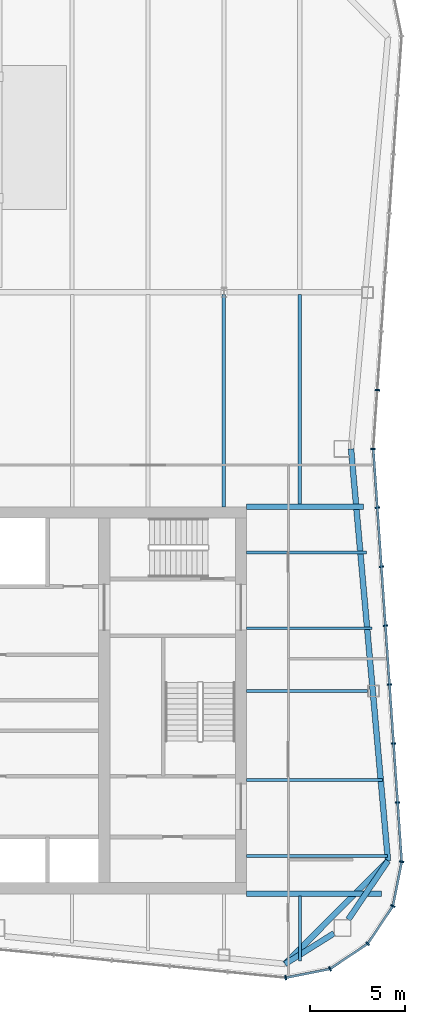
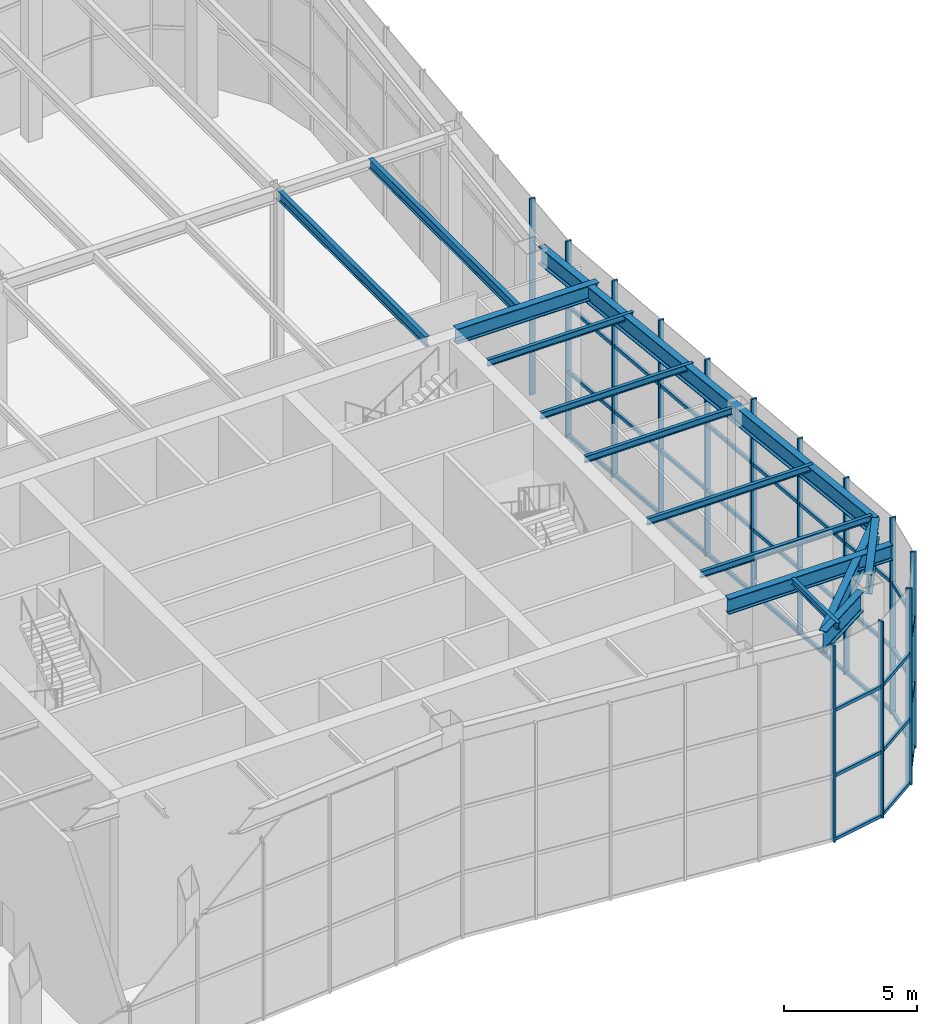
# One storey, part 5 of 16: 28 members, 14 beams, 2 elements without a shape of their own.
"""IFC4 building model written with IfcOpenShell, lengths in metres."""

from ifc_helpers import new_model, si_unit, direction, frame, origin, origin_2d, place, context, subcontext, project, spatial, rectangle, i_section, extrude, material, material_profile, profile_set, type_object, element, aggregate, save


model = new_model("IFC4")

# Units and contexts
model_context = context("Model", 3, precision=1e-05, world=origin(), true_north=direction((0.0, 1.0)))
body_context = subcontext(model_context, "Body", "Model", "MODEL_VIEW")
ifc_project = project(units=[si_unit("LENGTHUNIT", "METRE"), si_unit("AREAUNIT", "SQUARE_METRE"), si_unit("VOLUMEUNIT", "CUBIC_METRE"), si_unit("PLANEANGLEUNIT", "RADIAN"), si_unit("MASSUNIT", "GRAM", prefix="KILO")], contexts=[model_context])

# Site, building, storey
site_placement = place(None, origin())
site = spatial("IfcSite", under=ifc_project, at=site_placement, CompositionType="ELEMENT")
building_placement = place(site_placement, origin())
building = spatial("IfcBuilding", under=site, at=building_placement, Name="Verdant Reach Tower", CompositionType="ELEMENT")
storey_placement = place(building_placement, frame((0.0, 0.0, 340.5)))
storey = spatial("IfcBuildingStorey", under=building, at=storey_placement, Name="L78 Damper", CompositionType="ELEMENT", Elevation=340.5)

# Curtain wall, members
ifc_material_1 = material(Name="Anodised aluminium", Category="aluminium")
curtain_wall_type = type_object("IfcCurtainWallType", Name="EN-CW SYSTEM CROWN DAMPER", PredefinedType="NOTDEFINED", material=ifc_material_1)
curtain_wall_1_placement = place(storey_placement, origin())
curtain_wall_1 = element("IfcCurtainWall", 1, at=curtain_wall_1_placement, inside=storey, type_object=curtain_wall_type, Name="Curtain wall south-east corner, L78", PredefinedType="NOTDEFINED")
ifc_material_profile_1 = material_profile(ifc_material_1, rectangle(XDim=0.238037109375, YDim=0.080078125, at=origin_2d()), Name="Mullion 80x240")
ifc_profile_set_1 = profile_set([ifc_material_profile_1], Name="Anodised aluminium")
member_type_1 = type_object("IfcMemberType", Name="EN-MULLION PLANT", PredefinedType="MULLION", material=ifc_profile_set_1)
member_1_placement = place(storey_placement, frame((15.255859375, 13.381103515625, -0.35009765625), z_axis=(0.0, 0.0, 1.0), x_axis=(0.049127596288, -0.998792510626, 0.0)))
member_1 = element("IfcMember", 2, at=member_1_placement, type_object=member_type_1, Name="Mullion south-east corner 1, L78", PredefinedType="MULLION", context=body_context, shape_type="SweptSolid", body=[
    extrude(rectangle(XDim=0.238037109375, YDim=0.080078125, at=origin_2d()), origin(), (0.0, 0.0, 1.0), 9.0),
])
member_2_placement = place(storey_placement, frame((17.591552734375, 13.8466796875, -0.35009765625), z_axis=(0.0, 0.0, 1.0), x_axis=(0.382693853776, -0.923875215753, 0.0)))
member_2 = element("IfcMember", 3, at=member_2_placement, type_object=member_type_1, Name="Mullion south-east corner 2, L78", PredefinedType="MULLION", context=body_context, shape_type="SweptSolid", body=[
    extrude(rectangle(XDim=0.238037109375, YDim=0.080078125, at=origin_2d()), origin(), (0.0, 0.0, 1.0), 9.0),
])
member_3_placement = place(storey_placement, frame((19.57666015625, 15.17333984375, -0.35009765625), z_axis=(0.0, 0.0, 1.0), x_axis=(0.707106781187, -0.707106781187, 0.0)))
member_3 = element("IfcMember", 4, at=member_3_placement, type_object=member_type_1, Name="Mullion south-east corner 3, L78", PredefinedType="MULLION", context=body_context, shape_type="SweptSolid", body=[
    extrude(rectangle(XDim=0.238037109375, YDim=0.080078125, at=origin_2d()), origin(), (0.0, 0.0, 1.0), 9.0),
])
member_4_placement = place(storey_placement, frame((20.9033203125, 17.158447265625, -0.35009765625), z_axis=(0.0, 0.0, 1.0), x_axis=(0.923875215753, -0.382693853776, 0.0)))
member_4 = element("IfcMember", 5, at=member_4_placement, type_object=member_type_1, Name="Mullion south-east corner 4, L78", PredefinedType="MULLION", context=body_context, shape_type="SweptSolid", body=[
    extrude(rectangle(XDim=0.238037109375, YDim=0.080078125, at=origin_2d()), origin(), (0.0, 0.0, 1.0), 9.0),
])

curtain_wall_2_placement = place(storey_placement, origin())
curtain_wall_2 = element("IfcCurtainWall", 6, at=curtain_wall_2_placement, inside=storey, type_object=curtain_wall_type, Name="Curtain wall east, L78", PredefinedType="NOTDEFINED")
member_5_placement = place(storey_placement, frame((21.36865234375, 19.492431640625, -0.35009765625), z_axis=(0.0, 0.0, 1.0), x_axis=(0.997969180898, -0.063698618332, 0.0)))
member_5 = element("IfcMember", 7, at=member_5_placement, type_object=member_type_1, Name="Mullion east face part 1 1, L78", PredefinedType="MULLION", context=body_context, shape_type="SweptSolid", body=[
    extrude(rectangle(XDim=0.238037109375, YDim=0.080078125, at=origin_2d()), origin(), (0.0, 0.0, 1.0), 9.0),
])
member_6_placement = place(storey_placement, frame((21.154541015625, 22.615234375, -0.35009765625), z_axis=(0.0, 0.0, 1.0), x_axis=(0.997630328423, 0.068802091615, 0.0)))
member_6 = element("IfcMember", 8, at=member_6_placement, type_object=member_type_1, Name="Mullion east face part 1 2, L78", PredefinedType="MULLION", context=body_context, shape_type="SweptSolid", body=[
    extrude(rectangle(XDim=0.238037109375, YDim=0.080078125, at=origin_2d()), origin(), (0.0, 0.0, 1.0), 9.0),
])
member_7_placement = place(storey_placement, frame((20.940185546875, 25.722412109375, -0.35009765625), z_axis=(0.0, 0.0, 1.0), x_axis=(0.997630328423, 0.068802091615, 0.0)))
member_7 = element("IfcMember", 9, at=member_7_placement, type_object=member_type_1, Name="Mullion east face part 1 3, L78", PredefinedType="MULLION", context=body_context, shape_type="SweptSolid", body=[
    extrude(rectangle(XDim=0.238037109375, YDim=0.080078125, at=origin_2d()), origin(), (0.0, 0.0, 1.0), 9.0),
])
member_8_placement = place(storey_placement, frame((20.725830078125, 28.82958984375, -0.35009765625), z_axis=(0.0, 0.0, 1.0), x_axis=(0.997630328423, 0.068802091615, 0.0)))
member_8 = element("IfcMember", 10, at=member_8_placement, type_object=member_type_1, Name="Mullion east face part 1 4, L78", PredefinedType="MULLION", context=body_context, shape_type="SweptSolid", body=[
    extrude(rectangle(XDim=0.238037109375, YDim=0.080078125, at=origin_2d()), origin(), (0.0, 0.0, 1.0), 9.0),
])
member_9_placement = place(storey_placement, frame((20.511474609375, 31.936767578125, -0.35009765625), z_axis=(0.0, 0.0, 1.0), x_axis=(0.997630328423, 0.068802091615, 0.0)))
member_9 = element("IfcMember", 11, at=member_9_placement, type_object=member_type_1, Name="Mullion east face part 1 5, L78", PredefinedType="MULLION", context=body_context, shape_type="SweptSolid", body=[
    extrude(rectangle(XDim=0.238037109375, YDim=0.080078125, at=origin_2d()), origin(), (0.0, 0.0, 1.0), 9.0),
])
member_10_placement = place(storey_placement, frame((20.29736328125, 35.0439453125, -0.35009765625), z_axis=(0.0, 0.0, 1.0), x_axis=(0.997630328423, 0.068802091615, 0.0)))
member_10 = element("IfcMember", 12, at=member_10_placement, type_object=member_type_1, Name="Mullion east face part 1 6, L78", PredefinedType="MULLION", context=body_context, shape_type="SweptSolid", body=[
    extrude(rectangle(XDim=0.238037109375, YDim=0.080078125, at=origin_2d()), origin(), (0.0, 0.0, 1.0), 9.0),
])
member_11_placement = place(storey_placement, frame((20.0830078125, 38.151123046875, -0.35009765625), z_axis=(0.0, 0.0, 1.0), x_axis=(0.997630328423, 0.068802091615, 0.0)))
member_11 = element("IfcMember", 13, at=member_11_placement, type_object=member_type_1, Name="Mullion east face part 1 7, L78", PredefinedType="MULLION", context=body_context, shape_type="SweptSolid", body=[
    extrude(rectangle(XDim=0.238037109375, YDim=0.080078125, at=origin_2d()), origin(), (0.0, 0.0, 1.0), 9.0),
])
member_12_placement = place(storey_placement, frame((19.868896484375, 41.25, -0.35009765625), z_axis=(0.0, 0.0, 1.0), x_axis=(1.0, 0.0, 0.0)))
member_12 = element("IfcMember", 14, at=member_12_placement, type_object=member_type_1, Name="Mullion east face part 2 1, L78", PredefinedType="MULLION", context=body_context, shape_type="SweptSolid", body=[
    extrude(rectangle(XDim=0.238037109375, YDim=0.080078125, at=origin_2d()), origin(), (0.0, 0.0, 1.0), 9.0),
])
member_13_placement = place(storey_placement, frame((20.0830078125, 44.348876953125, -0.35009765625), z_axis=(0.0, 0.0, 1.0), x_axis=(0.997630328423, -0.068802091615, 0.0)))
member_13 = element("IfcMember", 15, at=member_13_placement, type_object=member_type_1, Name="Mullion east face part 2 2, L78", PredefinedType="MULLION", context=body_context, shape_type="SweptSolid", body=[
    extrude(rectangle(XDim=0.238037109375, YDim=0.080078125, at=origin_2d()), origin(), (0.0, 0.0, 1.0), 9.0),
])

# Member
ifc_material_profile_2 = material_profile(ifc_material_1, rectangle(XDim=0.1201171875, YDim=0.14990234375, at=origin_2d()), Name="Transom 150x120")
ifc_profile_set_2 = profile_set([ifc_material_profile_2], Name="Anodised aluminium")
member_type_2 = type_object("IfcMemberType", Name="EN-TRANSOM PLANT", PredefinedType="USERDEFINED", material=ifc_profile_set_2)
member_14_placement = place(storey_placement, frame((15.295166015625, 13.388916015625, -0.27490234375), z_axis=(0.980706937788, 0.195483764476, 0.0), x_axis=(-0.195483764476, 0.980706937788, 0.0)))
member_14 = element("IfcMember", 16, at=member_14_placement, type_object=member_type_2, Name="Transom south-east corner 1.1, L78", ObjectType="TRANSOM", PredefinedType="USERDEFINED", context=body_context, shape_type="SweptSolid", body=[
    extrude(rectangle(XDim=0.1201171875, YDim=0.14990234375, at=origin_2d()), origin(), (0.0, 0.0, 1.0), 2.3017578125),
])

member_15_placement = place(storey_placement, frame((17.625, 13.868896484375, -0.27490234375), z_axis=(0.831398626828, 0.5556764556, 0.0), x_axis=(-0.5556764556, 0.831398626828, 0.0)))
member_15 = element("IfcMember", 17, at=member_15_placement, type_object=member_type_2, Name="Transom south-east corner 2.1, L78", ObjectType="TRANSOM", PredefinedType="USERDEFINED", context=body_context, shape_type="SweptSolid", body=[
    extrude(rectangle(XDim=0.1201171875, YDim=0.14990234375, at=origin_2d()), origin(), (0.0, 0.0, 1.0), 2.3076171875),
])

member_16_placement = place(storey_placement, frame((19.598876953125, 15.20654296875, -0.27490234375), z_axis=(0.5556764556, 0.831398626828, 0.0), x_axis=(-0.831398626828, 0.5556764556, 0.0)))
member_16 = element("IfcMember", 18, at=member_16_placement, type_object=member_type_2, Name="Transom south-east corner 3.1, L78", ObjectType="TRANSOM", PredefinedType="USERDEFINED", context=body_context, shape_type="SweptSolid", body=[
    extrude(rectangle(XDim=0.1201171875, YDim=0.14990234375, at=origin_2d()), origin(), (0.0, 0.0, 1.0), 2.3076171875),
])

member_17_placement = place(storey_placement, frame((20.9111328125, 17.197509765625, -0.27490234375), z_axis=(0.195524121666, 0.980698892549, 0.0), x_axis=(-0.980698892549, 0.195524121666, 0.0)))
member_17 = element("IfcMember", 19, at=member_17_placement, type_object=member_type_2, Name="Transom south-east corner 4.1, L78", ObjectType="TRANSOM", PredefinedType="USERDEFINED", context=body_context, shape_type="SweptSolid", body=[
    extrude(rectangle(XDim=0.1201171875, YDim=0.14990234375, at=origin_2d()), origin(), (0.0, 0.0, 1.0), 2.300048828125),
])

member_18_placement = place(storey_placement, frame((15.295166015625, 13.388916015625, 2.64990234375), z_axis=(0.980706937788, 0.195483764476, 0.0), x_axis=(-0.195483764476, 0.980706937788, 0.0)))
member_18 = element("IfcMember", 20, at=member_18_placement, type_object=member_type_2, Name="Transom south-east corner 1.2, L78", ObjectType="TRANSOM", PredefinedType="USERDEFINED", context=body_context, shape_type="SweptSolid", body=[
    extrude(rectangle(XDim=0.1201171875, YDim=0.14990234375, at=origin_2d()), origin(), (0.0, 0.0, 1.0), 2.3017578125),
])

member_19_placement = place(storey_placement, frame((17.625, 13.868896484375, 2.64990234375), z_axis=(0.831398626828, 0.5556764556, 0.0), x_axis=(-0.5556764556, 0.831398626828, 0.0)))
member_19 = element("IfcMember", 21, at=member_19_placement, type_object=member_type_2, Name="Transom south-east corner 2.2, L78", ObjectType="TRANSOM", PredefinedType="USERDEFINED", context=body_context, shape_type="SweptSolid", body=[
    extrude(rectangle(XDim=0.1201171875, YDim=0.14990234375, at=origin_2d()), origin(), (0.0, 0.0, 1.0), 2.3076171875),
])

member_20_placement = place(storey_placement, frame((19.598876953125, 15.20654296875, 2.64990234375), z_axis=(0.5556764556, 0.831398626828, 0.0), x_axis=(-0.831398626828, 0.5556764556, 0.0)))
member_20 = element("IfcMember", 22, at=member_20_placement, type_object=member_type_2, Name="Transom south-east corner 3.2, L78", ObjectType="TRANSOM", PredefinedType="USERDEFINED", context=body_context, shape_type="SweptSolid", body=[
    extrude(rectangle(XDim=0.1201171875, YDim=0.14990234375, at=origin_2d()), origin(), (0.0, 0.0, 1.0), 2.3076171875),
])

member_21_placement = place(storey_placement, frame((20.9111328125, 17.197509765625, 2.64990234375), z_axis=(0.195524121666, 0.980698892549, 0.0), x_axis=(-0.980698892549, 0.195524121666, 0.0)))
member_21 = element("IfcMember", 23, at=member_21_placement, type_object=member_type_2, Name="Transom south-east corner 4.2, L78", ObjectType="TRANSOM", PredefinedType="USERDEFINED", context=body_context, shape_type="SweptSolid", body=[
    extrude(rectangle(XDim=0.1201171875, YDim=0.14990234375, at=origin_2d()), origin(), (0.0, 0.0, 1.0), 2.300048828125),
])

member_22_placement = place(storey_placement, frame((15.295166015625, 13.388916015625, 5.64990234375), z_axis=(0.980706937788, 0.195483764476, 0.0), x_axis=(-0.195483764476, 0.980706937788, 0.0)))
member_22 = element("IfcMember", 24, at=member_22_placement, type_object=member_type_2, Name="Transom south-east corner 1.3, L78", ObjectType="TRANSOM", PredefinedType="USERDEFINED", context=body_context, shape_type="SweptSolid", body=[
    extrude(rectangle(XDim=0.1201171875, YDim=0.14990234375, at=origin_2d()), origin(), (0.0, 0.0, 1.0), 2.3017578125),
])

member_23_placement = place(storey_placement, frame((17.625, 13.868896484375, 5.64990234375), z_axis=(0.831398626828, 0.5556764556, 0.0), x_axis=(-0.5556764556, 0.831398626828, 0.0)))
member_23 = element("IfcMember", 25, at=member_23_placement, type_object=member_type_2, Name="Transom south-east corner 2.3, L78", ObjectType="TRANSOM", PredefinedType="USERDEFINED", context=body_context, shape_type="SweptSolid", body=[
    extrude(rectangle(XDim=0.1201171875, YDim=0.14990234375, at=origin_2d()), origin(), (0.0, 0.0, 1.0), 2.3076171875),
])

member_24_placement = place(storey_placement, frame((19.598876953125, 15.20654296875, 5.64990234375), z_axis=(0.5556764556, 0.831398626828, 0.0), x_axis=(-0.831398626828, 0.5556764556, 0.0)))
member_24 = element("IfcMember", 26, at=member_24_placement, type_object=member_type_2, Name="Transom south-east corner 3.3, L78", ObjectType="TRANSOM", PredefinedType="USERDEFINED", context=body_context, shape_type="SweptSolid", body=[
    extrude(rectangle(XDim=0.1201171875, YDim=0.14990234375, at=origin_2d()), origin(), (0.0, 0.0, 1.0), 2.3076171875),
])

member_25_placement = place(storey_placement, frame((20.9111328125, 17.197509765625, 5.64990234375), z_axis=(0.195524121666, 0.980698892549, 0.0), x_axis=(-0.980698892549, 0.195524121666, 0.0)))
member_25 = element("IfcMember", 27, at=member_25_placement, type_object=member_type_2, Name="Transom south-east corner 4.3, L78", ObjectType="TRANSOM", PredefinedType="USERDEFINED", context=body_context, shape_type="SweptSolid", body=[
    extrude(rectangle(XDim=0.1201171875, YDim=0.14990234375, at=origin_2d()), origin(), (0.0, 0.0, 1.0), 2.300048828125),
])

aggregate(curtain_wall_1, [member_1, member_2, member_3, member_4, member_14, member_15, member_16, member_17, member_18, member_19, member_20, member_21, member_22, member_23, member_24, member_25])

member_26_placement = place(storey_placement, frame((21.365966796875, 19.5322265625, -0.27490234375), z_axis=(-0.068761218296, 0.997633146431, 0.0), x_axis=(-0.997633146431, -0.068761218296, 0.0)))
member_26 = element("IfcMember", 28, at=member_26_placement, type_object=member_type_2, Name="Transom east face part 1 1.1, L78", ObjectType="TRANSOM", PredefinedType="USERDEFINED", context=body_context, shape_type="SweptSolid", body=[
    extrude(rectangle(XDim=0.1201171875, YDim=0.14990234375, at=origin_2d()), origin(), (0.0, 0.0, 1.0), 21.7294921875),
])

member_27_placement = place(storey_placement, frame((21.365966796875, 19.5322265625, 2.64990234375), z_axis=(-0.068761218296, 0.997633146431, 0.0), x_axis=(-0.997633146431, -0.068761218296, 0.0)))
member_27 = element("IfcMember", 29, at=member_27_placement, type_object=member_type_2, Name="Transom east face part 1 1.2, L78", ObjectType="TRANSOM", PredefinedType="USERDEFINED", context=body_context, shape_type="SweptSolid", body=[
    extrude(rectangle(XDim=0.1201171875, YDim=0.14990234375, at=origin_2d()), origin(), (0.0, 0.0, 1.0), 21.7294921875),
])

member_28_placement = place(storey_placement, frame((21.365966796875, 19.5322265625, 5.64990234375), z_axis=(-0.068761218296, 0.997633146431, 0.0), x_axis=(-0.997633146431, -0.068761218296, 0.0)))
member_28 = element("IfcMember", 30, at=member_28_placement, type_object=member_type_2, Name="Transom east face part 1 1.3, L78", ObjectType="TRANSOM", PredefinedType="USERDEFINED", context=body_context, shape_type="SweptSolid", body=[
    extrude(rectangle(XDim=0.1201171875, YDim=0.14990234375, at=origin_2d()), origin(), (0.0, 0.0, 1.0), 21.7294921875),
])

aggregate(curtain_wall_2, [member_5, member_6, member_7, member_8, member_9, member_10, member_11, member_26, member_27, member_28, member_12, member_13])

# Beams
ifc_material_2 = material(Name="Steel S355", Category="steel")
ifc_material_profile_3 = material_profile(ifc_material_2, i_section(OverallWidth=0.300048828125, OverallDepth=0.699951171875, WebThickness=0.01708984375, FlangeThickness=0.031982421875, FilletRadius=0.027099609375, at=origin_2d()), Name="HEB 700")
ifc_profile_set_3 = profile_set([ifc_material_profile_3], Name="Steel S355")
beam_type_1 = type_object("IfcBeamType", Name="ST-BEAM-HEB700", PredefinedType="BEAM", material=ifc_profile_set_3)
beam_1_placement = place(storey_placement, frame((13.199951171875, 38.199951171875, 8.5), z_axis=(1.0, 0.0, 0.0), x_axis=(0.0, 1.0, 0.0)))
element("IfcBeam", 31, at=beam_1_placement, inside=storey, type_object=beam_type_1, Name="Trimmer beam, L78 Damper", PredefinedType="BEAM", context=body_context, shape_type="SweptSolid", body=[
    extrude(i_section(OverallWidth=0.300048828125, OverallDepth=0.699951171875, WebThickness=0.01708984375, FlangeThickness=0.031982421875, FilletRadius=0.027099609375, at=origin_2d()), origin(), (0.0, 0.0, 1.0), 6.158935546875),
])
beam_2_placement = place(storey_placement, frame((13.199951171875, 17.800048828125, 8.5), z_axis=(1.0, 0.0, 0.0), x_axis=(0.0, 1.0, 0.0)))
element("IfcBeam", 32, at=beam_2_placement, inside=storey, type_object=beam_type_1, Name="Trimmer beam, L78 Damper", PredefinedType="BEAM", context=body_context, shape_type="SweptSolid", body=[
    extrude(i_section(OverallWidth=0.300048828125, OverallDepth=0.699951171875, WebThickness=0.01708984375, FlangeThickness=0.031982421875, FilletRadius=0.027099609375, at=origin_2d()), origin(), (0.0, 0.0, 1.0), 7.10009765625),
])
ifc_material_profile_4 = material_profile(ifc_material_2, i_section(OverallWidth=0.302001953125, OverallDepth=0.909912109375, WebThickness=0.02099609375, FlangeThickness=0.0400390625, FilletRadius=0.030029296875, at=origin_2d()), Name="HEM 900")
ifc_profile_set_4 = profile_set([ifc_material_profile_4], Name="Steel S355")
beam_type_2 = type_object("IfcBeamType", Name="ST-BEAM-HEM900", PredefinedType="BEAM", material=ifc_profile_set_4)
beam_3_placement = place(storey_placement, frame((17.800048828125, 15.71875, 8.39501953125), z_axis=(-0.847903624467, -0.530150397166, 0.0), x_axis=(0.530150397166, -0.847903624467, 0.0)))
element("IfcBeam", 33, at=beam_3_placement, inside=storey, type_object=beam_type_2, Name="Column stub beam, L78 Damper", PredefinedType="BEAM", context=body_context, shape_type="SweptSolid", body=[
    extrude(i_section(OverallWidth=0.302001953125, OverallDepth=0.909912109375, WebThickness=0.02099609375, FlangeThickness=0.0400390625, FilletRadius=0.030029296875, at=origin_2d()), origin(), (0.0, 0.0, 1.0), 3.042724609375),
])
beam_4_placement = place(storey_placement, frame((18.5546875, 16.449951171875, 8.39501953125), z_axis=(0.560667226688, 0.828041219335, 0.0), x_axis=(-0.828041219335, 0.560667226688, 0.0)))
element("IfcBeam", 34, at=beam_4_placement, inside=storey, type_object=beam_type_2, Name="Column stub beam, L78 Damper", PredefinedType="BEAM", context=body_context, shape_type="SweptSolid", body=[
    extrude(i_section(OverallWidth=0.302001953125, OverallDepth=0.909912109375, WebThickness=0.02099609375, FlangeThickness=0.0400390625, FilletRadius=0.030029296875, at=origin_2d()), origin(), (0.0, 0.0, 1.0), 3.72998046875),
])
ifc_material_profile_5 = material_profile(ifc_material_2, i_section(OverallWidth=0.14990234375, OverallDepth=0.300048828125, WebThickness=0.007080078125, FlangeThickness=0.0107421875, FilletRadius=0.014892578125, at=origin_2d()), Name="IPE 300")
ifc_profile_set_5 = profile_set([ifc_material_profile_5], Name="Steel S355")
beam_type_3 = type_object("IfcBeamType", Name="ST-JOIST-IPE300", PredefinedType="JOIST", material=ifc_profile_set_5)
beam_5_placement = place(storey_placement, frame((16.0, 17.699951171875, 8.699951171875), z_axis=(0.0, -1.0, 0.0), x_axis=(1.0, 0.0, 0.0)))
element("IfcBeam", 35, at=beam_5_placement, inside=storey, type_object=beam_type_3, Name="Floor joist, L78 Damper", PredefinedType="JOIST", context=body_context, shape_type="SweptSolid", body=[
    extrude(i_section(OverallWidth=0.14990234375, OverallDepth=0.300048828125, WebThickness=0.007080078125, FlangeThickness=0.0107421875, FilletRadius=0.014892578125, at=origin_2d()), origin(), (0.0, 0.0, 1.0), 3.43896484375),
])
beam_6_placement = place(storey_placement, frame((13.199951171875, 19.800048828125, 8.699951171875), z_axis=(1.0, 0.0, 0.0), x_axis=(0.0, 1.0, 0.0)))
element("IfcBeam", 36, at=beam_6_placement, inside=storey, type_object=beam_type_3, Name="Floor joist, L78 Damper", PredefinedType="JOIST", context=body_context, shape_type="SweptSolid", body=[
    extrude(i_section(OverallWidth=0.14990234375, OverallDepth=0.300048828125, WebThickness=0.007080078125, FlangeThickness=0.0107421875, FilletRadius=0.014892578125, at=origin_2d()), origin(), (0.0, 0.0, 1.0), 7.427978515625),
])
beam_7_placement = place(storey_placement, frame((13.199951171875, 23.800048828125, 8.699951171875), z_axis=(1.0, 0.0, 0.0), x_axis=(0.0, 1.0, 0.0)))
element("IfcBeam", 37, at=beam_7_placement, inside=storey, type_object=beam_type_3, Name="Floor joist, L78 Damper", PredefinedType="JOIST", context=body_context, shape_type="SweptSolid", body=[
    extrude(i_section(OverallWidth=0.14990234375, OverallDepth=0.300048828125, WebThickness=0.007080078125, FlangeThickness=0.0107421875, FilletRadius=0.014892578125, at=origin_2d()), origin(), (0.0, 0.0, 1.0), 7.152099609375),
])
beam_8_placement = place(storey_placement, frame((13.199951171875, 28.5, 8.699951171875), z_axis=(1.0, 0.0, 0.0), x_axis=(0.0, 1.0, 0.0)))
element("IfcBeam", 38, at=beam_8_placement, inside=storey, type_object=beam_type_3, Name="Floor joist, L78 Damper", PredefinedType="JOIST", context=body_context, shape_type="SweptSolid", body=[
    extrude(i_section(OverallWidth=0.14990234375, OverallDepth=0.300048828125, WebThickness=0.007080078125, FlangeThickness=0.0107421875, FilletRadius=0.014892578125, at=origin_2d()), origin(), (0.0, 0.0, 1.0), 6.37939453125),
])
beam_9_placement = place(storey_placement, frame((13.199951171875, 31.800048828125, 8.699951171875), z_axis=(1.0, 0.0, 0.0), x_axis=(0.0, 1.0, 0.0)))
element("IfcBeam", 39, at=beam_9_placement, inside=storey, type_object=beam_type_3, Name="Floor joist, L78 Damper", PredefinedType="JOIST", context=body_context, shape_type="SweptSolid", body=[
    extrude(i_section(OverallWidth=0.14990234375, OverallDepth=0.300048828125, WebThickness=0.007080078125, FlangeThickness=0.0107421875, FilletRadius=0.014892578125, at=origin_2d()), origin(), (0.0, 0.0, 1.0), 6.600341796875),
])
beam_10_placement = place(storey_placement, frame((13.199951171875, 35.800048828125, 8.699951171875), z_axis=(1.0, 0.0, 0.0), x_axis=(0.0, 1.0, 0.0)))
element("IfcBeam", 40, at=beam_10_placement, inside=storey, type_object=beam_type_3, Name="Floor joist, L78 Damper", PredefinedType="JOIST", context=body_context, shape_type="SweptSolid", body=[
    extrude(i_section(OverallWidth=0.14990234375, OverallDepth=0.300048828125, WebThickness=0.007080078125, FlangeThickness=0.0107421875, FilletRadius=0.014892578125, at=origin_2d()), origin(), (0.0, 0.0, 1.0), 6.324462890625),
])
ifc_material_profile_6 = material_profile(ifc_material_2, i_section(OverallWidth=0.18994140625, OverallDepth=0.449951171875, WebThickness=0.009521484375, FlangeThickness=0.0146484375, FilletRadius=0.02099609375, at=origin_2d()), Name="IPE 450")
ifc_profile_set_6 = profile_set([ifc_material_profile_6], Name="Steel S355")
beam_type_4 = type_object("IfcBeamType", Name="ST-JOIST-IPE450", PredefinedType="JOIST", material=ifc_profile_set_6)
beam_11_placement = place(storey_placement, frame((12.0, 38.199951171875, 8.625), z_axis=(0.0, 1.0, 0.0), x_axis=(-1.0, 0.0, 0.0)))
element("IfcBeam", 41, at=beam_11_placement, inside=storey, type_object=beam_type_4, Name="Floor joist, L78 Damper", PredefinedType="JOIST", context=body_context, shape_type="SweptSolid", body=[
    extrude(i_section(OverallWidth=0.18994140625, OverallDepth=0.449951171875, WebThickness=0.009521484375, FlangeThickness=0.0146484375, FilletRadius=0.02099609375, at=origin_2d()), origin(), (0.0, 0.0, 1.0), 11.199951171875),
])
beam_12_placement = place(storey_placement, frame((16.0, 38.300048828125, 8.625), z_axis=(0.0, 1.0, 0.0), x_axis=(-1.0, 0.0, 0.0)))
element("IfcBeam", 42, at=beam_12_placement, inside=storey, type_object=beam_type_4, Name="Floor joist, L78 Damper", PredefinedType="JOIST", context=body_context, shape_type="SweptSolid", body=[
    extrude(i_section(OverallWidth=0.18994140625, OverallDepth=0.449951171875, WebThickness=0.009521484375, FlangeThickness=0.0146484375, FilletRadius=0.02099609375, at=origin_2d()), origin(), (0.0, 0.0, 1.0), 11.099853515625),
])
ifc_material_profile_7 = material_profile(ifc_material_2, i_section(OverallWidth=0.300048828125, OverallDepth=0.800048828125, WebThickness=0.017578125, FlangeThickness=0.032958984375, FilletRadius=0.030029296875, at=origin_2d()), Name="HEB 800")
ifc_profile_set_7 = profile_set([ifc_material_profile_7], Name="Steel S355")
beam_type_5 = type_object("IfcBeamType", Name="ST-SPANDREL-HEB800", PredefinedType="SPANDREL", material=ifc_profile_set_7)
beam_13_placement = place(storey_placement, frame((18.699951171875, 41.25, 8.449951171875), z_axis=(0.089274399498, -0.996007069048, 0.0), x_axis=(0.996007069048, 0.089274399498, 0.0)))
element("IfcBeam", 43, at=beam_13_placement, inside=storey, type_object=beam_type_5, Name="Edge beam, L78 Damper", PredefinedType="SPANDREL", context=body_context, shape_type="SweptSolid", body=[
    extrude(i_section(OverallWidth=0.300048828125, OverallDepth=0.800048828125, WebThickness=0.017578125, FlangeThickness=0.032958984375, FilletRadius=0.030029296875, at=origin_2d()), origin(), (0.0, 0.0, 1.0), 21.798583984375),
])
ifc_material_profile_8 = material_profile(ifc_material_2, i_section(OverallWidth=0.302001953125, OverallDepth=1.008056640625, WebThickness=0.02099609375, FlangeThickness=0.0400390625, FilletRadius=0.030029296875, at=origin_2d()), Name="HEM 1000")
ifc_profile_set_8 = profile_set([ifc_material_profile_8], Name="Steel S355")
beam_type_6 = type_object("IfcBeamType", Name="ST-SPANDREL-HEM1000", PredefinedType="SPANDREL", material=ifc_profile_set_8)
beam_14_placement = place(storey_placement, frame((20.64599609375, 19.53857421875, 8.345947265625), z_axis=(-0.706645581521, -0.707567680237, 0.0), x_axis=(0.707567680237, -0.706645581521, 0.0)))
element("IfcBeam", 44, at=beam_14_placement, inside=storey, type_object=beam_type_6, Name="Edge beam, L78 Damper", PredefinedType="SPANDREL", context=body_context, shape_type="SweptSolid", body=[
    extrude(i_section(OverallWidth=0.302001953125, OverallDepth=1.008056640625, WebThickness=0.02099609375, FlangeThickness=0.0400390625, FilletRadius=0.030029296875, at=origin_2d()), origin(), (0.0, 0.0, 1.0), 7.67822265625),
])

save(model, "model.ifc")
